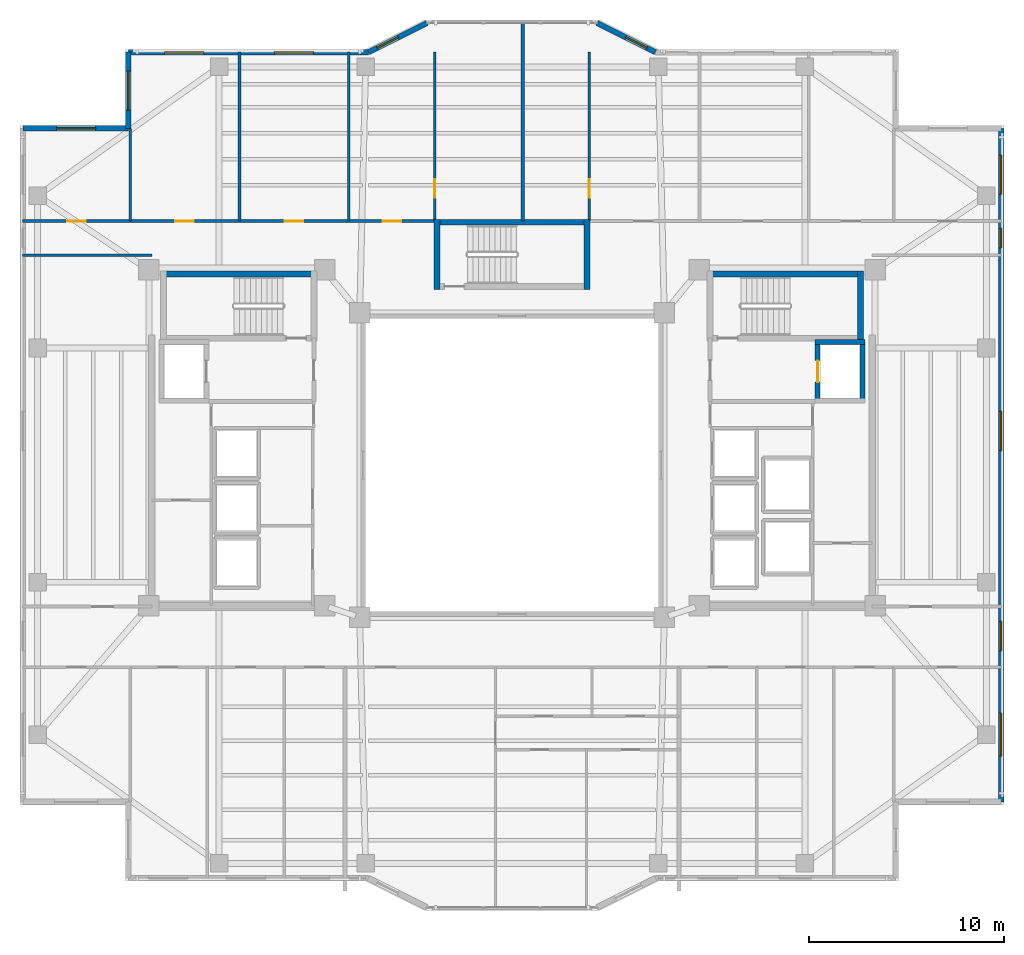
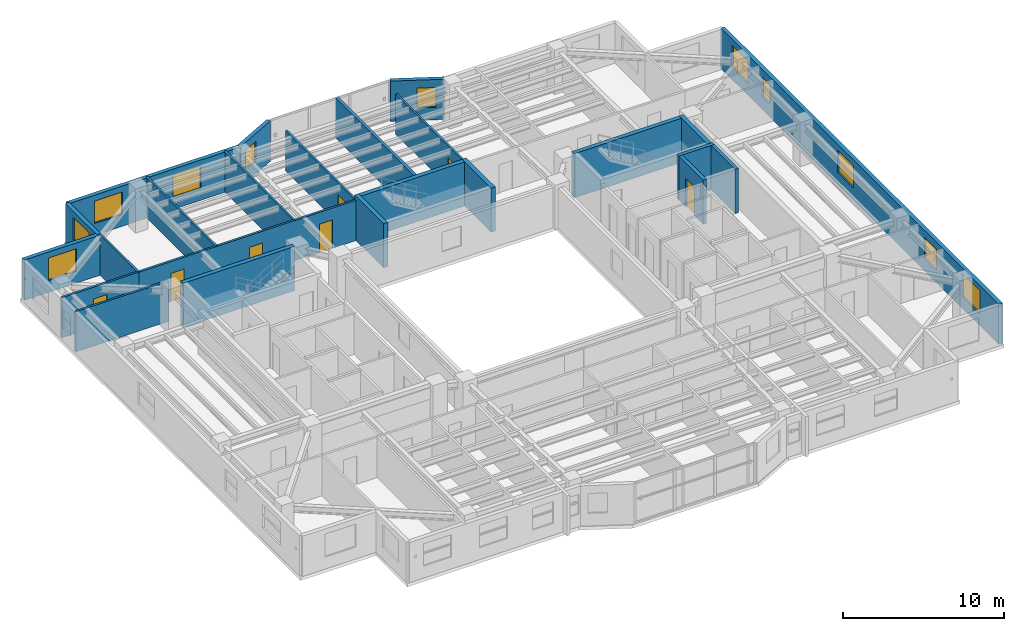
# One storey, part 9 of 15: 24 walls, 11 windows, 7 doors, 18 openings.
"""IFC4 building model written with IfcOpenShell, lengths in metres."""

from ifc_helpers import new_model, si_unit, direction, frame, frame_2d, origin, place, context, subcontext, project, spatial, rectangle, extrude, material, layer, layer_set, type_object, element, fill, save


model = new_model("IFC4")

# Units and contexts
model_context = context("Model", 3, precision=1e-05, world=origin(), true_north=direction((0.0, 1.0)))
body_context = subcontext(model_context, "Body", "Model", "MODEL_VIEW")
ifc_project = project(units=[si_unit("LENGTHUNIT", "METRE"), si_unit("AREAUNIT", "SQUARE_METRE"), si_unit("VOLUMEUNIT", "CUBIC_METRE"), si_unit("PLANEANGLEUNIT", "RADIAN"), si_unit("MASSUNIT", "GRAM", prefix="KILO")], contexts=[model_context])

# Site, building, storey
site_placement = place(None, origin())
site = spatial("IfcSite", under=ifc_project, at=site_placement, CompositionType="ELEMENT")
building_placement = place(site_placement, origin())
building = spatial("IfcBuilding", under=site, at=building_placement, Name="Tarnavaz Court Tower", CompositionType="ELEMENT")
storey_placement = place(building_placement, frame((0.0, 0.0, 169.449951171875)))
storey = spatial("IfcBuildingStorey", under=building, at=storey_placement, Name="L46", CompositionType="ELEMENT", Elevation=169.449951171875)

# Wall, opening, door
ifc_material_1 = material(Name="Concrete C50/60", Category="concrete")
ifc_layer_1 = layer(ifc_material_1, 0.25)
ifc_layer_set_1 = layer_set([ifc_layer_1], Name="Concrete C50/60")
wall_type_1 = type_object("IfcWallType", Name="WL-CORE-250-C50", PredefinedType="SHEAR", material=ifc_layer_set_1)
wall_1_placement = place(storey_placement, frame((15.64990234375, 3.175048828125, 0.0), z_axis=(0.0, 0.0, 1.0), x_axis=(0.0, 1.0, 0.0)))
wall_1 = element("IfcWall", 1, at=wall_1_placement, inside=storey, type_object=wall_type_1, Name="L46 Lift FL-E1 Shaft Wall 033", PredefinedType="SHEAR", context=body_context, shape_type="SweptSolid", body=[
    extrude(rectangle(XDim=3.25, YDim=0.25, at=frame_2d((1.625, 0.0))), origin(), (0.0, 0.0, 1.0), 3.35009765625),
])
opening_1_placement = place(wall_1_placement, frame((1.074951171875, 0.0, 0.0)))
opening_1 = element("IfcOpeningElement", 2, at=opening_1_placement, cuts=wall_1, Name="Opening LD1", PredefinedType="OPENING", context=body_context, shape_type="SweptSolid", body=[
    extrude(rectangle(XDim=1.10009765625, YDim=2.14990234375, at=frame_2d((0.550048828125, 1.074951171875))), frame((0.0, 0.135009765625, 0.0), z_axis=(0.0, -1.0, 0.0), x_axis=(1.0, 0.0, 0.0)), (0.0, 0.0, 1.0), 0.27001953125),
])
ifc_material_2 = material(Name="Stainless Steel", Category="steel")
door_type_1 = type_object("IfcDoorType", Name="DR-LD-1100", OperationType="NOTDEFINED", PredefinedType="DOOR", material=ifc_material_2)
door_1_placement = place(opening_1_placement, origin())
door_1 = element("IfcDoor", 3, at=door_1_placement, inside=storey, type_object=door_type_1, Name="L46 Lift Landing Door LD-FL-E1", OperationType="SLIDING_TO_LEFT", OverallHeight=2.14990234375, OverallWidth=1.10009765625, PredefinedType="DOOR", context=body_context, shape_type="SweptSolid", body=[
    extrude(rectangle(XDim=1.10009765625, YDim=2.14990234375, at=frame_2d((0.550048828125, 1.074951171875))), frame((0.0, 0.02490234375, 0.0), z_axis=(0.0, -1.0, 0.0), x_axis=(1.0, 0.0, 0.0)), (0.0, 0.0, 1.0), 0.050048828125),
])
fill(opening_1, door_1)

# Walls
wall_2_placement = place(storey_placement, frame((17.949951171875, 3.175048828125, 0.0), z_axis=(0.0, 0.0, 1.0), x_axis=(0.0, 1.0, 0.0)))
element("IfcWall", 4, at=wall_2_placement, inside=storey, type_object=wall_type_1, Name="L46 Lift FL-E1 Shaft Wall 034", PredefinedType="SHEAR", context=body_context, shape_type="SweptSolid", body=[
    extrude(rectangle(XDim=3.25, YDim=0.25, at=frame_2d((1.625, 0.0))), origin(), (0.0, 0.0, 1.0), 3.35009765625),
])
wall_3_placement = place(storey_placement, frame((15.52490234375, 6.300048828125, 0.0), z_axis=(0.0, 0.0, 1.0), x_axis=(1.0, 0.0, 0.0)))
element("IfcWall", 5, at=wall_3_placement, inside=storey, type_object=wall_type_1, Name="L46 Lift FL-E1 Shaft Wall 036", PredefinedType="SHEAR", context=body_context, shape_type="SweptSolid", body=[
    extrude(rectangle(XDim=2.550048828125, YDim=0.25, at=frame_2d((1.27490234375, 0.0))), origin(), (0.0, 0.0, 1.0), 3.35009765625),
])
ifc_layer_2 = layer(ifc_material_1, 0.300048828125)
ifc_layer_set_2 = layer_set([ifc_layer_2], Name="Concrete C50/60")
wall_type_2 = type_object("IfcWallType", Name="WL-CORE-300-C50", PredefinedType="SHEAR", material=ifc_layer_set_2)
for number, where, z_axis, x_axis, name in (
    (6, (-18.0, 9.7900390625, 0.0), (0.0, 0.0, 1.0), (1.0, 0.0, 0.0), "L46 West Stair Core Wall 001"),
    (7, (10.0, 9.7900390625, 0.0), (0.0, 0.0, 1.0), (1.0, 0.0, 0.0), "L46 East Stair Core Wall 005"),
):
    element("IfcWall", number, at=place(storey_placement, frame(where, z_axis=z_axis, x_axis=x_axis)), inside=storey, type_object=wall_type_2, Name=name, PredefinedType="SHEAR", context=body_context, shape_type="SweptSolid", body=[
        extrude(rectangle(XDim=8.0, YDim=0.300048828125, at=frame_2d((4.0, 0.0))), origin(), (0.0, 0.0, 1.0), 3.35009765625),
    ])
wall_4_placement = place(storey_placement, frame((17.85009765625, 6.35009765625, 0.0), z_axis=(0.0, 0.0, 1.0), x_axis=(0.0, 1.0, 0.0)))
element("IfcWall", 8, at=wall_4_placement, inside=storey, type_object=wall_type_2, Name="L46 East Stair Core Wall 008", PredefinedType="SHEAR", context=body_context, shape_type="SweptSolid", body=[
    extrude(rectangle(XDim=3.58984375, YDim=0.300048828125, at=frame_2d((1.794921875, 0.0))), origin(), (0.0, 0.0, 1.0), 3.35009765625),
])
wall_5_placement = place(storey_placement, frame((-4.0, 12.43994140625, 0.0), z_axis=(0.0, 0.0, 1.0), x_axis=(1.0, 0.0, 0.0)))
element("IfcWall", 9, at=wall_5_placement, inside=storey, type_object=wall_type_2, Name="L46 North Stair Core Wall 009", PredefinedType="SHEAR", context=body_context, shape_type="SweptSolid", body=[
    extrude(rectangle(XDim=8.0, YDim=0.300048828125, at=frame_2d((4.0, 0.0))), origin(), (0.0, 0.0, 1.0), 3.35009765625),
])
for number, where, z_axis, x_axis, name in (
    (10, (-3.85009765625, 9.0, 0.0), (0.0, 0.0, 1.0), (0.0, 1.0, 0.0), "L46 North Stair Core Wall 011"),
    (11, (3.85009765625, 9.0, 0.0), (0.0, 0.0, 1.0), (0.0, 1.0, 0.0), "L46 North Stair Core Wall 012"),
):
    element("IfcWall", number, at=place(storey_placement, frame(where, z_axis=z_axis, x_axis=x_axis)), inside=storey, type_object=wall_type_2, Name=name, PredefinedType="SHEAR", context=body_context, shape_type="SweptSolid", body=[
        extrude(rectangle(XDim=3.590087890625, YDim=0.300048828125, at=frame_2d((1.794921875, 0.0))), origin(), (0.0, 0.0, 1.0), 3.35009765625),
    ])

# Wall, opening, window
ifc_material_3 = material(Name="Precast Concrete C40/50", Category="concrete")
ifc_layer_3 = layer(ifc_material_3, 0.280029296875)
ifc_layer_set_3 = layer_set([ifc_layer_3], Name="Precast Concrete C40/50")
wall_type_3 = type_object("IfcWallType", Name="WL-EXT-280", PredefinedType="SOLIDWALL", material=ifc_layer_set_3)
wall_6_placement = place(storey_placement, frame((-25.050048828125, 17.25, 0.0), z_axis=(0.0, 0.0, 1.0), x_axis=(1.0, 0.0, 0.0)))
wall_6 = element("IfcWall", 12, at=wall_6_placement, inside=storey, type_object=wall_type_3, Name="L46 Exterior Terracotta Facade Wall 03", PredefinedType="SOLIDWALL", context=body_context, shape_type="SweptSolid", body=[
    extrude(rectangle(XDim=5.400146484375, YDim=0.280029296875, at=frame_2d((2.7001953125, 0.0))), origin(), (0.0, 0.0, 1.0), 3.050048828125),
])
opening_2_placement = place(wall_6_placement, frame((1.72509765625, 0.0, 0.89990234375)))
opening_2 = element("IfcOpeningElement", 13, at=opening_2_placement, cuts=wall_6, Name="Opening W08", PredefinedType="OPENING", context=body_context, shape_type="SweptSolid", body=[
    extrude(rectangle(XDim=2.0, YDim=1.699951171875, at=frame_2d((1.0, 0.85009765625))), frame((0.0, 0.14990234375, 0.0), z_axis=(0.0, -1.0, 0.0), x_axis=(1.0, 0.0, 0.0)), (0.0, 0.0, 1.0), 0.300048828125),
])
ifc_material_4 = material(Name="Double-Glazed Solar Low-E Glass", Category="glass")
window_type_1 = type_object("IfcWindowType", Name="WN-APT-2000", PartitioningType="DOUBLE_PANEL_VERTICAL", PredefinedType="WINDOW", material=ifc_material_4)
window_1_placement = place(opening_2_placement, origin())
window_1 = element("IfcWindow", 14, at=window_1_placement, inside=storey, type_object=window_type_1, Name="L46 North-West Corner Sunroom Study Window", OverallHeight=1.699951171875, OverallWidth=2.0, PartitioningType="SINGLE_PANEL", PredefinedType="WINDOW", context=body_context, shape_type="SweptSolid", body=[
    extrude(rectangle(XDim=2.0, YDim=1.699951171875, at=frame_2d((1.0, 0.85009765625))), frame((0.0, 0.030029296875, 0.0), z_axis=(0.0, -1.0, 0.0), x_axis=(1.0, 0.0, 0.0)), (0.0, 0.0, 1.0), 0.06005859375),
])
fill(opening_2, window_1)

wall_7_placement = place(storey_placement, frame((-19.64990234375, 17.25, 0.0), z_axis=(0.0, 0.0, 1.0), x_axis=(0.0, 1.0, 0.0)))
wall_7 = element("IfcWall", 15, at=wall_7_placement, inside=storey, type_object=wall_type_3, Name="L46 Exterior Terracotta Facade Wall 04", PredefinedType="SOLIDWALL", context=body_context, shape_type="SweptSolid", body=[
    extrude(rectangle(XDim=3.89990234375, YDim=0.280029296875, at=frame_2d((1.949951171875, 0.0))), origin(), (0.0, 0.0, 1.0), 3.050048828125),
])
opening_3_placement = place(wall_7_placement, frame((0.93212890625, 0.0, 0.89990234375)))
opening_3 = element("IfcOpeningElement", 16, at=opening_3_placement, cuts=wall_7, Name="Opening W08", PredefinedType="OPENING", context=body_context, shape_type="SweptSolid", body=[
    extrude(rectangle(XDim=2.0, YDim=1.699951171875, at=frame_2d((1.0, 0.85009765625))), frame((0.0, 0.14990234375, 0.0), z_axis=(0.0, -1.0, 0.0), x_axis=(1.0, 0.0, 0.0)), (0.0, 0.0, 1.0), 0.300048828125),
])
window_2_placement = place(opening_3_placement, origin())
window_2 = element("IfcWindow", 17, at=window_2_placement, inside=storey, type_object=window_type_1, Name="L46 Resident Co-Working Study Room Window", OverallHeight=1.699951171875, OverallWidth=2.0, PartitioningType="SINGLE_PANEL", PredefinedType="WINDOW", context=body_context, shape_type="SweptSolid", body=[
    extrude(rectangle(XDim=2.0, YDim=1.699951171875, at=frame_2d((1.0, 0.85009765625))), frame((0.0, 0.030029296875, 0.0), z_axis=(0.0, -1.0, 0.0), x_axis=(1.0, 0.0, 0.0)), (0.0, 0.0, 1.0), 0.06005859375),
])
fill(opening_3, window_2)

# Wall, openings, windows
wall_8_placement = place(storey_placement, frame((-19.64990234375, 21.14990234375, 0.0), z_axis=(0.0, 0.0, 1.0), x_axis=(1.0, 0.0, 0.0)))
wall_8 = element("IfcWall", 18, at=wall_8_placement, inside=storey, type_object=wall_type_3, Name="L46 Exterior Terracotta Facade Wall 05", PredefinedType="SOLIDWALL", context=body_context, shape_type="SweptSolid", body=[
    extrude(rectangle(XDim=12.2998046875, YDim=0.280029296875, at=frame_2d((6.14990234375, 0.0))), origin(), (0.0, 0.0, 1.0), 3.050048828125),
])
opening_4_placement = place(wall_8_placement, frame((1.861572265625, 0.0, 0.89990234375)))
opening_4 = element("IfcOpeningElement", 19, at=opening_4_placement, cuts=wall_8, Name="Opening W08", PredefinedType="OPENING", context=body_context, shape_type="SweptSolid", body=[
    extrude(rectangle(XDim=2.0, YDim=1.699951171875, at=frame_2d((1.0, 0.85009765625))), frame((0.0, 0.14990234375, 0.0), z_axis=(0.0, -1.0, 0.0), x_axis=(1.0, 0.0, 0.0)), (0.0, 0.0, 1.0), 0.300048828125),
])
opening_5_placement = place(wall_8_placement, frame((7.484619140625, 0.0, 0.89990234375)))
opening_5 = element("IfcOpeningElement", 20, at=opening_5_placement, cuts=wall_8, Name="Opening W08", PredefinedType="OPENING", context=body_context, shape_type="SweptSolid", body=[
    extrude(rectangle(XDim=2.0, YDim=1.699951171875, at=frame_2d((1.0, 0.85009765625))), frame((0.0, 0.14990234375, 0.0), z_axis=(0.0, -1.0, 0.0), x_axis=(1.0, 0.0, 0.0)), (0.0, 0.0, 1.0), 0.300048828125),
])
window_3_placement = place(opening_4_placement, origin())
window_3 = element("IfcWindow", 21, at=window_3_placement, inside=storey, type_object=window_type_1, Name="L46 Resident Co-Working Study Room Window", OverallHeight=1.699951171875, OverallWidth=2.0, PartitioningType="SINGLE_PANEL", PredefinedType="WINDOW", context=body_context, shape_type="SweptSolid", body=[
    extrude(rectangle(XDim=2.0, YDim=1.699951171875, at=frame_2d((1.0, 0.85009765625))), frame((0.0, 0.030029296875, 0.0), z_axis=(0.0, -1.0, 0.0), x_axis=(1.0, 0.0, 0.0)), (0.0, 0.0, 1.0), 0.06005859375),
])
fill(opening_4, window_3)
window_4_placement = place(opening_5_placement, origin())
window_4 = element("IfcWindow", 22, at=window_4_placement, inside=storey, type_object=window_type_1, Name="L46 Quiet Reading Library Room Window", OverallHeight=1.699951171875, OverallWidth=2.0, PartitioningType="SINGLE_PANEL", PredefinedType="WINDOW", context=body_context, shape_type="SweptSolid", body=[
    extrude(rectangle(XDim=2.0, YDim=1.699951171875, at=frame_2d((1.0, 0.85009765625))), frame((0.0, 0.030029296875, 0.0), z_axis=(0.0, -1.0, 0.0), x_axis=(1.0, 0.0, 0.0)), (0.0, 0.0, 1.0), 0.06005859375),
])
fill(opening_5, window_4)

# Wall, opening, window
wall_9_placement = place(storey_placement, frame((-7.35009765625, 21.14990234375, 0.0), z_axis=(0.0, 0.0, 1.0), x_axis=(0.894427191, 0.4472135955, 0.0)))
wall_9 = element("IfcWall", 23, at=wall_9_placement, inside=storey, type_object=wall_type_3, Name="L46 Exterior Terracotta Facade Wall 06", PredefinedType="SOLIDWALL", context=body_context, shape_type="SweptSolid", body=[
    extrude(rectangle(XDim=3.35400390625, YDim=0.280029296875, at=frame_2d((1.677001953125, 0.0))), origin(), (0.0, 0.0, 1.0), 3.050048828125),
])
opening_6_placement = place(wall_9_placement, frame((0.501220703125, 0.0, 0.949951171875)))
opening_6 = element("IfcOpeningElement", 24, at=opening_6_placement, cuts=wall_9, Name="Opening W05", PredefinedType="OPENING", context=body_context, shape_type="SweptSolid", body=[
    extrude(rectangle(XDim=1.199951171875, YDim=1.5, at=frame_2d((0.60009765625, 0.75))), frame((0.0, 0.14990234375, 0.0), z_axis=(0.0, -1.0, 0.0), x_axis=(1.0, 0.0, 0.0)), (0.0, 0.0, 1.0), 0.300048828125),
])
window_type_2 = type_object("IfcWindowType", Name="WN-APT-1200", PartitioningType="SINGLE_PANEL", PredefinedType="WINDOW", material=ifc_material_4)
window_5_placement = place(opening_6_placement, origin())
window_5 = element("IfcWindow", 25, at=window_5_placement, inside=storey, type_object=window_type_2, Name="L46 Resident Focus Seminar Room Window", OverallHeight=1.5, OverallWidth=1.199951171875, PartitioningType="SINGLE_PANEL", PredefinedType="WINDOW", context=body_context, shape_type="SweptSolid", body=[
    extrude(rectangle(XDim=1.199951171875, YDim=1.5, at=frame_2d((0.60009765625, 0.75))), frame((0.0, 0.030029296875, 0.0), z_axis=(0.0, -1.0, 0.0), x_axis=(1.0, 0.0, 0.0)), (0.0, 0.0, 1.0), 0.06005859375),
])
fill(opening_6, window_5)

wall_10_placement = place(storey_placement, frame((4.35009765625, 22.64990234375, 0.0), z_axis=(0.0, 0.0, 1.0), x_axis=(0.894427191, -0.4472135955, 0.0)))
wall_10 = element("IfcWall", 26, at=wall_10_placement, inside=storey, type_object=wall_type_3, Name="L46 Exterior Terracotta Facade Wall 08", PredefinedType="SOLIDWALL", context=body_context, shape_type="SweptSolid", body=[
    extrude(rectangle(XDim=3.35400390625, YDim=0.280029296875, at=frame_2d((1.677001953125, 0.0))), origin(), (0.0, 0.0, 1.0), 3.050048828125),
])
opening_7_placement = place(wall_10_placement, frame((1.65283203125, 0.0, 0.949951171875)))
opening_7 = element("IfcOpeningElement", 27, at=opening_7_placement, cuts=wall_10, Name="Opening W05", PredefinedType="OPENING", context=body_context, shape_type="SweptSolid", body=[
    extrude(rectangle(XDim=1.199951171875, YDim=1.5, at=frame_2d((0.60009765625, 0.75))), frame((0.0, 0.14990234375, 0.0), z_axis=(0.0, -1.0, 0.0), x_axis=(1.0, 0.0, 0.0)), (0.0, 0.0, 1.0), 0.300048828125),
])
window_6_placement = place(opening_7_placement, origin())
window_6 = element("IfcWindow", 28, at=window_6_placement, inside=storey, type_object=window_type_2, Name="L46 Resident Co-Working Study Room Window", OverallHeight=1.5, OverallWidth=1.199951171875, PartitioningType="SINGLE_PANEL", PredefinedType="WINDOW", context=body_context, shape_type="SweptSolid", body=[
    extrude(rectangle(XDim=1.199951171875, YDim=1.5, at=frame_2d((0.60009765625, 0.75))), frame((0.0, 0.030029296875, 0.0), z_axis=(0.0, -1.0, 0.0), x_axis=(1.0, 0.0, 0.0)), (0.0, 0.0, 1.0), 0.06005859375),
])
fill(opening_7, window_6)

# Wall, openings, windows
wall_11_placement = place(storey_placement, frame((25.050048828125, 17.25, 0.0), z_axis=(0.0, 0.0, 1.0), x_axis=(0.0, -1.0, 0.0)))
wall_11 = element("IfcWall", 29, at=wall_11_placement, inside=storey, type_object=wall_type_3, Name="L46 Exterior Terracotta Facade Wall 12", PredefinedType="SOLIDWALL", context=body_context, shape_type="SweptSolid", body=[
    extrude(rectangle(XDim=34.5, YDim=0.280029296875, at=frame_2d((17.25, 0.0))), origin(), (0.0, 0.0, 1.0), 3.050048828125),
])
opening_8_placement = place(wall_11_placement, frame((1.375, 0.0, 0.89990234375)))
opening_8 = element("IfcOpeningElement", 30, at=opening_8_placement, cuts=wall_11, Name="Opening W08", PredefinedType="OPENING", context=body_context, shape_type="SweptSolid", body=[
    extrude(rectangle(XDim=2.0, YDim=1.699951171875, at=frame_2d((1.0, 0.85009765625))), frame((0.0, 0.14990234375, 0.0), z_axis=(0.0, -1.0, 0.0), x_axis=(1.0, 0.0, 0.0)), (0.0, 0.0, 1.0), 0.300048828125),
])
opening_9_placement = place(wall_11_placement, frame((5.125, 0.0, 0.949951171875)))
opening_9 = element("IfcOpeningElement", 31, at=opening_9_placement, cuts=wall_11, Name="Opening W14", PredefinedType="OPENING", context=body_context, shape_type="SweptSolid", body=[
    extrude(rectangle(XDim=1.0, YDim=1.5, at=frame_2d((0.5, 0.75))), frame((0.0, 0.14990234375, 0.0), z_axis=(0.0, -1.0, 0.0), x_axis=(1.0, 0.0, 0.0)), (0.0, 0.0, 1.0), 0.300048828125),
])
opening_10_placement = place(wall_11_placement, frame((14.5, 0.0, 0.89990234375)))
opening_10 = element("IfcOpeningElement", 32, at=opening_10_placement, cuts=wall_11, Name="Opening W08", PredefinedType="OPENING", context=body_context, shape_type="SweptSolid", body=[
    extrude(rectangle(XDim=2.0, YDim=1.699951171875, at=frame_2d((1.0, 0.85009765625))), frame((0.0, 0.14990234375, 0.0), z_axis=(0.0, -1.0, 0.0), x_axis=(1.0, 0.0, 0.0)), (0.0, 0.0, 1.0), 0.300048828125),
])
opening_11_placement = place(wall_11_placement, frame((25.257568359375, 0.0, 0.89990234375)))
opening_11 = element("IfcOpeningElement", 33, at=opening_11_placement, cuts=wall_11, Name="Opening W03", PredefinedType="OPENING", context=body_context, shape_type="SweptSolid", body=[
    extrude(rectangle(XDim=1.5, YDim=1.64990234375, at=frame_2d((0.75, 0.824951171875))), frame((0.0, 0.14990234375, 0.0), z_axis=(0.0, -1.0, 0.0), x_axis=(1.0, 0.0, 0.0)), (0.0, 0.0, 1.0), 0.300048828125),
])
opening_12_placement = place(wall_11_placement, frame((29.949951171875, 0.0, 0.89990234375)))
opening_12 = element("IfcOpeningElement", 34, at=opening_12_placement, cuts=wall_11, Name="Opening W07", PredefinedType="OPENING", context=body_context, shape_type="SweptSolid", body=[
    extrude(rectangle(XDim=2.199951171875, YDim=1.75, at=frame_2d((1.10009765625, 0.875))), frame((0.0, 0.14990234375, 0.0), z_axis=(0.0, -1.0, 0.0), x_axis=(1.0, 0.0, 0.0)), (0.0, 0.0, 1.0), 0.300048828125),
])
window_type_3 = type_object("IfcWindowType", Name="WN-APT-1000", PartitioningType="SINGLE_PANEL", PredefinedType="WINDOW", material=ifc_material_4)
window_7_placement = place(opening_9_placement, origin())
window_7 = element("IfcWindow", 35, at=window_7_placement, inside=storey, type_object=window_type_3, Name="L46 North-East Corner Corridor Window", OverallHeight=1.5, OverallWidth=1.0, PartitioningType="SINGLE_PANEL", PredefinedType="WINDOW", context=body_context, shape_type="SweptSolid", body=[
    extrude(rectangle(XDim=1.0, YDim=1.5, at=frame_2d((0.5, 0.75))), frame((0.0, 0.030029296875, 0.0), z_axis=(0.0, -1.0, 0.0), x_axis=(1.0, 0.0, 0.0)), (0.0, 0.0, 1.0), 0.06005859375),
])
fill(opening_9, window_7)
window_type_4 = type_object("IfcWindowType", Name="WN-APT-1500", PartitioningType="DOUBLE_PANEL_VERTICAL", PredefinedType="WINDOW", material=ifc_material_4)
window_8_placement = place(opening_11_placement, origin())
window_8 = element("IfcWindow", 36, at=window_8_placement, inside=storey, type_object=window_type_4, Name="L46 South-East Corner Corridor Window", OverallHeight=1.64990234375, OverallWidth=1.5, PartitioningType="SINGLE_PANEL", PredefinedType="WINDOW", context=body_context, shape_type="SweptSolid", body=[
    extrude(rectangle(XDim=1.5, YDim=1.64990234375, at=frame_2d((0.75, 0.824951171875))), frame((0.0, 0.030029296875, 0.0), z_axis=(0.0, -1.0, 0.0), x_axis=(1.0, 0.0, 0.0)), (0.0, 0.0, 1.0), 0.06005859375),
])
fill(opening_11, window_8)
window_9_placement = place(opening_8_placement, origin())
window_9 = element("IfcWindow", 37, at=window_9_placement, inside=storey, type_object=window_type_1, Name="L46 North-East Corner Sunroom Study Window", OverallHeight=1.699951171875, OverallWidth=2.0, PartitioningType="SINGLE_PANEL", PredefinedType="WINDOW", context=body_context, shape_type="SweptSolid", body=[
    extrude(rectangle(XDim=2.0, YDim=1.699951171875, at=frame_2d((1.0, 0.85009765625))), frame((0.0, 0.030029296875, 0.0), z_axis=(0.0, -1.0, 0.0), x_axis=(1.0, 0.0, 0.0)), (0.0, 0.0, 1.0), 0.06005859375),
])
fill(opening_8, window_9)
window_10_placement = place(opening_10_placement, origin())
window_10 = element("IfcWindow", 38, at=window_10_placement, inside=storey, type_object=window_type_1, Name="L46 East Wing Resident Fitness Lounge Window", OverallHeight=1.699951171875, OverallWidth=2.0, PartitioningType="SINGLE_PANEL", PredefinedType="WINDOW", context=body_context, shape_type="SweptSolid", body=[
    extrude(rectangle(XDim=2.0, YDim=1.699951171875, at=frame_2d((1.0, 0.85009765625))), frame((0.0, 0.030029296875, 0.0), z_axis=(0.0, -1.0, 0.0), x_axis=(1.0, 0.0, 0.0)), (0.0, 0.0, 1.0), 0.06005859375),
])
fill(opening_10, window_10)
window_type_5 = type_object("IfcWindowType", Name="WN-APT-2200", PartitioningType="TRIPLE_PANEL_VERTICAL", PredefinedType="WINDOW", material=ifc_material_4)
window_11_placement = place(opening_12_placement, origin())
window_11 = element("IfcWindow", 39, at=window_11_placement, inside=storey, type_object=window_type_5, Name="L46 South-East Corner Reading Room Window", OverallHeight=1.75, OverallWidth=2.199951171875, PartitioningType="SINGLE_PANEL", PredefinedType="WINDOW", context=body_context, shape_type="SweptSolid", body=[
    extrude(rectangle(XDim=2.199951171875, YDim=1.75, at=frame_2d((1.10009765625, 0.875))), frame((0.0, 0.030029296875, 0.0), z_axis=(0.0, -1.0, 0.0), x_axis=(1.0, 0.0, 0.0)), (0.0, 0.0, 1.0), 0.06005859375),
])
fill(opening_12, window_11)

# Wall, openings, doors
ifc_material_5 = material(Name="Gypsum Fire-Board on Acoustic Metal Stud", Category="masonry")
ifc_layer_4 = layer(ifc_material_5, 0.14990234375)
ifc_layer_set_4 = layer_set([ifc_layer_4], Name="Gypsum Fire-Board on Acoustic Metal Stud")
wall_type_4 = type_object("IfcWallType", Name="WL-FIRE-150", PredefinedType="PARTITIONING", material=ifc_layer_set_4)
wall_12_placement = place(storey_placement, frame((-19.550048828125, 12.5, 0.0), z_axis=(0.0, 0.0, 1.0), x_axis=(1.0, 0.0, 0.0)))
wall_12 = element("IfcWall", 40, at=wall_12_placement, inside=storey, type_object=wall_type_4, Name="L46 NW Wing Corridor Wall 071", PredefinedType="PARTITIONING", context=body_context, shape_type="SweptSolid", body=[
    extrude(rectangle(XDim=15.699951171875, YDim=0.14990234375, at=frame_2d((7.85009765625, 0.0))), origin(), (0.0, 0.0, 1.0), 3.050048828125),
])
opening_13_placement = place(wall_12_placement, frame((2.2919921875, 0.0, 0.0)))
opening_13 = element("IfcOpeningElement", 41, at=opening_13_placement, cuts=wall_12, Name="Opening D13", PredefinedType="OPENING", context=body_context, shape_type="SweptSolid", body=[
    extrude(rectangle(XDim=0.949951171875, YDim=2.14990234375, at=frame_2d((0.47509765625, 1.074951171875))), frame((0.0, 0.0849609375, 0.0), z_axis=(0.0, -1.0, 0.0), x_axis=(1.0, 0.0, 0.0)), (0.0, 0.0, 1.0), 0.169921875),
])
opening_14_placement = place(wall_12_placement, frame((7.9169921875, 0.0, 0.0)))
opening_14 = element("IfcOpeningElement", 42, at=opening_14_placement, cuts=wall_12, Name="Opening D13", PredefinedType="OPENING", context=body_context, shape_type="SweptSolid", body=[
    extrude(rectangle(XDim=0.949951171875, YDim=2.14990234375, at=frame_2d((0.47509765625, 1.074951171875))), frame((0.0, 0.0849609375, 0.0), z_axis=(0.0, -1.0, 0.0), x_axis=(1.0, 0.0, 0.0)), (0.0, 0.0, 1.0), 0.169921875),
])
opening_15_placement = place(wall_12_placement, frame((12.919921875, 0.0, 0.0)))
opening_15 = element("IfcOpeningElement", 43, at=opening_15_placement, cuts=wall_12, Name="Opening D13", PredefinedType="OPENING", context=body_context, shape_type="SweptSolid", body=[
    extrude(rectangle(XDim=0.949951171875, YDim=2.14990234375, at=frame_2d((0.47509765625, 1.074951171875))), frame((0.0, 0.0849609375, 0.0), z_axis=(0.0, -1.0, 0.0), x_axis=(1.0, 0.0, 0.0)), (0.0, 0.0, 1.0), 0.169921875),
])
ifc_material_6 = material(Name="Engineered Oak Timber", Category="wood")
door_type_2 = type_object("IfcDoorType", Name="DR-INT-950", OperationType="NOTDEFINED", PredefinedType="DOOR", material=ifc_material_6)
door_2_placement = place(opening_13_placement, origin())
door_2 = element("IfcDoor", 44, at=door_2_placement, inside=storey, type_object=door_type_2, Name="L46 Resident Co-Working Study Room Door", OperationType="SINGLE_SWING_LEFT", OverallHeight=2.14990234375, OverallWidth=0.949951171875, PredefinedType="DOOR", context=body_context, shape_type="SweptSolid", body=[
    extrude(rectangle(XDim=0.949951171875, YDim=2.14990234375, at=frame_2d((0.47509765625, 1.074951171875))), frame((0.0, 0.02490234375, 0.0), z_axis=(0.0, -1.0, 0.0), x_axis=(1.0, 0.0, 0.0)), (0.0, 0.0, 1.0), 0.050048828125),
])
fill(opening_13, door_2)
door_3_placement = place(opening_14_placement, origin())
door_3 = element("IfcDoor", 45, at=door_3_placement, inside=storey, type_object=door_type_2, Name="L46 Quiet Reading Library Room Door", OperationType="SINGLE_SWING_RIGHT", OverallHeight=2.14990234375, OverallWidth=0.949951171875, PredefinedType="DOOR", context=body_context, shape_type="SweptSolid", body=[
    extrude(rectangle(XDim=0.949951171875, YDim=2.14990234375, at=frame_2d((0.47509765625, 1.074951171875))), frame((0.0, 0.02490234375, 0.0), z_axis=(0.0, -1.0, 0.0), x_axis=(1.0, 0.0, 0.0)), (0.0, 0.0, 1.0), 0.050048828125),
])
fill(opening_14, door_3)
door_4_placement = place(opening_15_placement, origin())
door_4 = element("IfcDoor", 46, at=door_4_placement, inside=storey, type_object=door_type_2, Name="L46 Resident Focus Seminar Room Door", OperationType="SINGLE_SWING_LEFT", OverallHeight=2.14990234375, OverallWidth=0.949951171875, PredefinedType="DOOR", context=body_context, shape_type="SweptSolid", body=[
    extrude(rectangle(XDim=0.949951171875, YDim=2.14990234375, at=frame_2d((0.47509765625, 1.074951171875))), frame((0.0, 0.02490234375, 0.0), z_axis=(0.0, -1.0, 0.0), x_axis=(1.0, 0.0, 0.0)), (0.0, 0.0, 1.0), 0.050048828125),
])
fill(opening_15, door_4)

# Wall
wall_13_placement = place(storey_placement, frame((-25.080078125, 10.75, 0.0), z_axis=(0.0, 0.0, 1.0), x_axis=(1.0, 0.0, 0.0)))
element("IfcWall", 47, at=wall_13_placement, inside=storey, type_object=wall_type_4, Name="L46 Interior Partition 096", PredefinedType="PARTITIONING", context=body_context, shape_type="SweptSolid", body=[
    extrude(rectangle(XDim=6.630126953125, YDim=0.14990234375, at=frame_2d((3.31494140625, 0.0))), origin(), (0.0, 0.0, 1.0), 3.050048828125),
])

# Wall, opening, door
wall_14_placement = place(storey_placement, frame((-25.080078125, 12.5, 0.0), z_axis=(0.0, 0.0, 1.0), x_axis=(1.0, 0.0, 0.0)))
wall_14 = element("IfcWall", 48, at=wall_14_placement, inside=storey, type_object=wall_type_4, Name="L46 Interior Partition 103", PredefinedType="PARTITIONING", context=body_context, shape_type="SweptSolid", body=[
    extrude(rectangle(XDim=5.530029296875, YDim=0.14990234375, at=frame_2d((2.76513671875, 0.0))), origin(), (0.0, 0.0, 1.0), 3.050048828125),
])
opening_16_placement = place(wall_14_placement, frame((2.2900390625, 0.0, 0.0)))
opening_16 = element("IfcOpeningElement", 49, at=opening_16_placement, cuts=wall_14, Name="Opening D13", PredefinedType="OPENING", context=body_context, shape_type="SweptSolid", body=[
    extrude(rectangle(XDim=0.949951171875, YDim=2.14990234375, at=frame_2d((0.47509765625, 1.074951171875))), frame((0.0, 0.0849609375, 0.0), z_axis=(0.0, -1.0, 0.0), x_axis=(1.0, 0.0, 0.0)), (0.0, 0.0, 1.0), 0.169921875),
])
door_5_placement = place(opening_16_placement, origin())
door_5 = element("IfcDoor", 50, at=door_5_placement, inside=storey, type_object=door_type_2, Name="L46 NW Sunroom Door", OperationType="SINGLE_SWING_LEFT", OverallHeight=2.14990234375, OverallWidth=0.949951171875, PredefinedType="DOOR", context=body_context, shape_type="SweptSolid", body=[
    extrude(rectangle(XDim=0.949951171875, YDim=2.14990234375, at=frame_2d((0.47509765625, 1.074951171875))), frame((0.0, 0.02490234375, 0.0), z_axis=(0.0, -1.0, 0.0), x_axis=(1.0, 0.0, 0.0)), (0.0, 0.0, 1.0), 0.050048828125),
])
fill(opening_16, door_5)

# Wall
ifc_material_7 = material(Name="Autoclaved Aerated Concrete Blockwork", Category="masonry")
ifc_layer_5 = layer(ifc_material_7, 0.199951171875)
ifc_layer_set_5 = layer_set([ifc_layer_5], Name="Autoclaved Aerated Concrete Blockwork")
wall_type_5 = type_object("IfcWallType", Name="WL-FIRE-200", PredefinedType="SOLIDWALL", material=ifc_layer_set_5)
wall_15_placement = place(storey_placement, frame((0.550048828125, 12.5, 0.0), z_axis=(0.0, 0.0, 1.0), x_axis=(0.0, 1.0, 0.0)))
element("IfcWall", 51, at=wall_15_placement, inside=storey, type_object=wall_type_5, Name="L46 North Center Party Wall 075", PredefinedType="SOLIDWALL", context=body_context, shape_type="SweptSolid", body=[
    extrude(rectangle(XDim=10.179931640625, YDim=0.199951171875, at=frame_2d((5.08984375, 0.0))), origin(), (0.0, 0.0, 1.0), 3.050048828125),
])

# Wall, opening, door
ifc_material_8 = material(Name="Gypsum Plasterboard Acoustic Partition", Category="masonry")
ifc_layer_6 = layer(ifc_material_8, 0.139892578125)
ifc_layer_set_6 = layer_set([ifc_layer_6], Name="Gypsum Plasterboard Acoustic Partition")
wall_type_6 = type_object("IfcWallType", Name="WL-PART-150", PredefinedType="PARTITIONING", material=ifc_layer_set_6)
wall_16_placement = place(storey_placement, frame((-3.949951171875, 12.5, 0.0), z_axis=(0.0, 0.0, 1.0), x_axis=(0.0, 1.0, 0.0)))
wall_16 = element("IfcWall", 52, at=wall_16_placement, inside=storey, type_object=wall_type_6, Name="L46 Interior Partition 076", PredefinedType="PARTITIONING", context=body_context, shape_type="SweptSolid", body=[
    extrude(rectangle(XDim=8.64990234375, YDim=0.139892578125, at=frame_2d((4.324951171875, 0.0))), origin(), (0.0, 0.0, 1.0), 3.050048828125),
])
opening_17_placement = place(wall_16_placement, frame((1.199951171875, 0.0, 0.0)))
opening_17 = element("IfcOpeningElement", 53, at=opening_17_placement, cuts=wall_16, Name="Opening D13", PredefinedType="OPENING", context=body_context, shape_type="SweptSolid", body=[
    extrude(rectangle(XDim=0.949951171875, YDim=2.14990234375, at=frame_2d((0.47509765625, 1.074951171875))), frame((0.0, 0.079833984375, 0.0), z_axis=(0.0, -1.0, 0.0), x_axis=(1.0, 0.0, 0.0)), (0.0, 0.0, 1.0), 0.159912109375),
])
door_6_placement = place(opening_17_placement, origin())
door_6 = element("IfcDoor", 54, at=door_6_placement, inside=storey, type_object=door_type_2, Name="L46 NW Iwan Study Door", OperationType="SINGLE_SWING_RIGHT", OverallHeight=2.14990234375, OverallWidth=0.949951171875, PredefinedType="DOOR", context=body_context, shape_type="SweptSolid", body=[
    extrude(rectangle(XDim=0.949951171875, YDim=2.14990234375, at=frame_2d((0.47509765625, 1.074951171875))), frame((0.0, 0.02490234375, 0.0), z_axis=(0.0, -1.0, 0.0), x_axis=(1.0, 0.0, 0.0)), (0.0, 0.0, 1.0), 0.050048828125),
])
fill(opening_17, door_6)

# Walls
for number, where, z_axis, x_axis, name in (
    (55, (-13.9560546875, 12.5, 0.0), (0.0, 0.0, 1.0), (0.0, 1.0, 0.0), "L46 Interior Partition 077"),
    (56, (-8.361083984375, 12.5, 0.0), (0.0, 0.0, 1.0), (0.0, 1.0, 0.0), "L46 Interior Partition 078"),
):
    element("IfcWall", number, at=place(storey_placement, frame(where, z_axis=z_axis, x_axis=x_axis)), inside=storey, type_object=wall_type_6, Name=name, PredefinedType="PARTITIONING", context=body_context, shape_type="SweptSolid", body=[
        extrude(rectangle(XDim=8.64990234375, YDim=0.139892578125, at=frame_2d((4.324951171875, 0.0))), origin(), (0.0, 0.0, 1.0), 3.050048828125),
    ])

# Wall, opening, door
wall_17_placement = place(storey_placement, frame((3.949951171875, 12.5, 0.0), z_axis=(0.0, 0.0, 1.0), x_axis=(0.0, 1.0, 0.0)))
wall_17 = element("IfcWall", 57, at=wall_17_placement, inside=storey, type_object=wall_type_6, Name="L46 Interior Partition 079", PredefinedType="PARTITIONING", context=body_context, shape_type="SweptSolid", body=[
    extrude(rectangle(XDim=8.64990234375, YDim=0.139892578125, at=frame_2d((4.324951171875, 0.0))), origin(), (0.0, 0.0, 1.0), 3.050048828125),
])
opening_18_placement = place(wall_17_placement, frame((1.199951171875, 0.0, 0.0)))
opening_18 = element("IfcOpeningElement", 58, at=opening_18_placement, cuts=wall_17, Name="Opening D13", PredefinedType="OPENING", context=body_context, shape_type="SweptSolid", body=[
    extrude(rectangle(XDim=0.949951171875, YDim=2.14990234375, at=frame_2d((0.47509765625, 1.074951171875))), frame((0.0, 0.079833984375, 0.0), z_axis=(0.0, -1.0, 0.0), x_axis=(1.0, 0.0, 0.0)), (0.0, 0.0, 1.0), 0.159912109375),
])
door_7_placement = place(opening_18_placement, origin())
door_7 = element("IfcDoor", 59, at=door_7_placement, inside=storey, type_object=door_type_2, Name="L46 NE Iwan Reading Door", OperationType="SINGLE_SWING_RIGHT", OverallHeight=2.14990234375, OverallWidth=0.949951171875, PredefinedType="DOOR", context=body_context, shape_type="SweptSolid", body=[
    extrude(rectangle(XDim=0.949951171875, YDim=2.14990234375, at=frame_2d((0.47509765625, 1.074951171875))), frame((0.0, 0.02490234375, 0.0), z_axis=(0.0, -1.0, 0.0), x_axis=(1.0, 0.0, 0.0)), (0.0, 0.0, 1.0), 0.050048828125),
])
fill(opening_18, door_7)

# Wall
wall_18_placement = place(storey_placement, frame((-19.550048828125, 12.5, 0.0), z_axis=(0.0, 0.0, 1.0), x_axis=(0.0, 1.0, 0.0)))
element("IfcWall", 60, at=wall_18_placement, inside=storey, type_object=wall_type_6, Name="L46 Interior Partition 101", PredefinedType="PARTITIONING", context=body_context, shape_type="SweptSolid", body=[
    extrude(rectangle(XDim=4.75, YDim=0.139892578125, at=frame_2d((2.375, 0.0))), origin(), (0.0, 0.0, 1.0), 3.050048828125),
])

save(model, "model.ifc")
